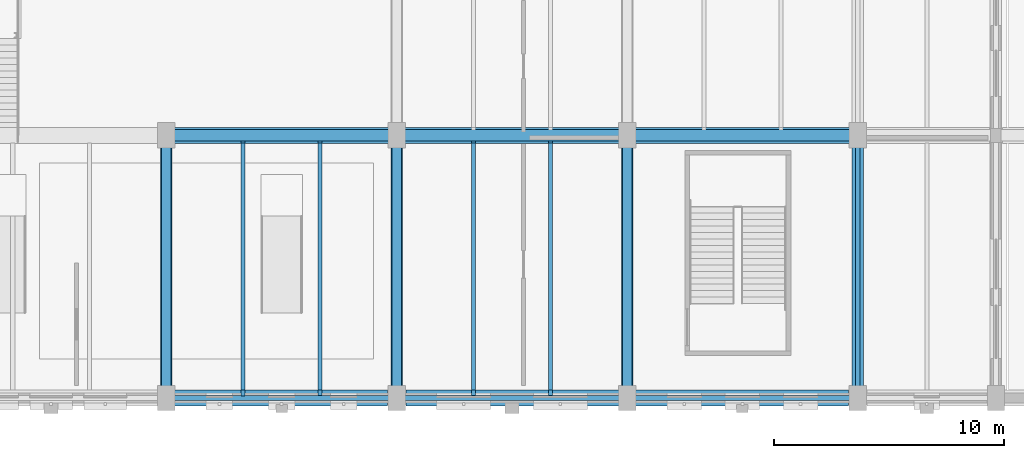
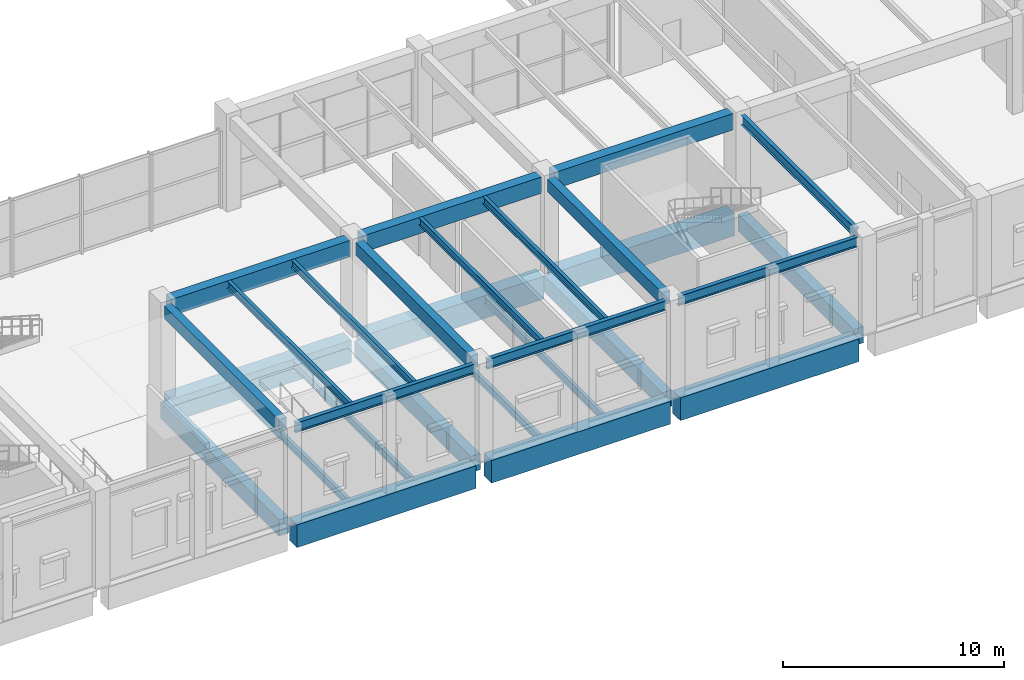
# One storey, part 37 of 113: 28 beams.
"""IFC4 building model written with IfcOpenShell, lengths in metres."""

from ifc_helpers import new_model, si_unit, direction, frame, origin, origin_2d, place, context, subcontext, project, spatial, rectangle, i_section, extrude, material, material_profile, profile_set, type_object, element, save


model = new_model("IFC4")

# Units and contexts
model_context = context("Model", 3, precision=1e-05, world=origin(), true_north=direction((0.0, 1.0)))
body_context = subcontext(model_context, "Body", "Model", "MODEL_VIEW")
ifc_project = project(units=[si_unit("LENGTHUNIT", "METRE"), si_unit("AREAUNIT", "SQUARE_METRE"), si_unit("VOLUMEUNIT", "CUBIC_METRE"), si_unit("PLANEANGLEUNIT", "RADIAN"), si_unit("MASSUNIT", "GRAM", prefix="KILO"), si_unit("POWERUNIT", "WATT"), si_unit("THERMODYNAMICTEMPERATUREUNIT", "KELVIN")], contexts=[model_context])

# Site, building, storey
site_placement = place(None, origin())
site = spatial("IfcSite", under=ifc_project, at=site_placement, CompositionType="ELEMENT")
building_placement = place(site_placement, origin())
building = spatial("IfcBuilding", under=site, at=building_placement, Name="Kelmbourne Parkland Aquatics Centre", CompositionType="ELEMENT")
storey_placement = place(building_placement, origin())
storey = spatial("IfcBuildingStorey", under=building, at=storey_placement, Name="L00", CompositionType="ELEMENT", Elevation=0.0)

# Beams
ifc_material_1 = material(Name="Concrete C40/50", Category="concrete")
ifc_material_profile_1 = material_profile(ifc_material_1, rectangle(XDim=0.5, YDim=0.89990234375, at=origin_2d()), Name="RC 500x900")
ifc_profile_set_1 = profile_set([ifc_material_profile_1], Name="Concrete C40/50")
beam_type_1 = type_object("IfcBeamType", Name="BM-G03", PredefinedType="BEAM", material=ifc_profile_set_1)
beam_1_placement = place(storey_placement, frame((66.0, 1.205078125, -0.72998046875), z_axis=(0.0, 1.0, 0.0), x_axis=(-1.0, 0.0, 0.0)))
element("IfcBeam", 1, at=beam_1_placement, inside=storey, type_object=beam_type_1, Name="Primary girder 01-03 Grid I (L00)", PredefinedType="BEAM", context=body_context, shape_type="SweptSolid", body=[
    extrude(rectangle(XDim=0.5, YDim=0.89990234375, at=origin_2d()), origin(), (0.0, 0.0, 1.0), 10.71484375),
])
beam_2_placement = place(storey_placement, frame((76.0, 1.205078125, -0.72998046875), z_axis=(0.0, 1.0, 0.0), x_axis=(-1.0, 0.0, 0.0)))
element("IfcBeam", 2, at=beam_2_placement, inside=storey, type_object=beam_type_1, Name="Primary girder 01-03 Grid J (L00)", PredefinedType="BEAM", context=body_context, shape_type="SweptSolid", body=[
    extrude(rectangle(XDim=0.5, YDim=0.89990234375, at=origin_2d()), origin(), (0.0, 0.0, 1.0), 10.489990234375),
])
beam_3_placement = place(storey_placement, frame((86.0, 1.205078125, -0.72998046875), z_axis=(0.0, 1.0, 0.0), x_axis=(-1.0, 0.0, 0.0)))
element("IfcBeam", 3, at=beam_3_placement, inside=storey, type_object=beam_type_1, Name="Primary girder 01-03 Grid K (L00)", PredefinedType="BEAM", context=body_context, shape_type="SweptSolid", body=[
    extrude(rectangle(XDim=0.5, YDim=0.89990234375, at=origin_2d()), origin(), (0.0, 0.0, 1.0), 10.71484375),
])
beam_4_placement = place(storey_placement, frame((96.0, 1.205078125, -0.72998046875), z_axis=(0.0, 1.0, 0.0), x_axis=(-1.0, 0.0, 0.0)))
element("IfcBeam", 4, at=beam_4_placement, inside=storey, type_object=beam_type_1, Name="Primary girder 01-03 Grid L (L00)", PredefinedType="BEAM", context=body_context, shape_type="SweptSolid", body=[
    extrude(rectangle(XDim=0.5, YDim=0.89990234375, at=origin_2d()), origin(), (0.0, 0.0, 1.0), 10.489990234375),
])
for number, where, z_axis, x_axis, name in (
    (5, (66.330078125, 12.199951171875, 4.7099609375), (1.0, 0.0, 0.0), (0.0, 1.0, 0.0), "Primary girder I-J Grid 03 (L01)"),
    (6, (76.330078125, 12.199951171875, 4.7099609375), (1.0, 0.0, 0.0), (0.0, 1.0, 0.0), "Primary girder J-K Grid 03 (L01)"),
    (7, (86.330078125, 12.199951171875, 4.7099609375), (1.0, 0.0, 0.0), (0.0, 1.0, 0.0), "Primary girder K-L Grid 03 (L01)"),
):
    element("IfcBeam", number, at=place(storey_placement, frame(where, z_axis=z_axis, x_axis=x_axis)), inside=storey, type_object=beam_type_1, Name=name, PredefinedType="BEAM", context=body_context, shape_type="SweptSolid", body=[
        extrude(rectangle(XDim=0.5, YDim=0.89990234375, at=origin_2d()), origin(), (0.0, 0.0, 1.0), 9.33984375),
    ])
ifc_material_profile_2 = material_profile(ifc_material_1, rectangle(XDim=0.39990234375, YDim=0.699951171875, at=origin_2d()), Name="RC 400x700")
ifc_profile_set_2 = profile_set([ifc_material_profile_2], Name="Concrete C40/50")
beam_type_2 = type_object("IfcBeamType", Name="BM-G05", PredefinedType="BEAM", material=ifc_profile_set_2)
for number, where, z_axis, x_axis, name in (
    (8, (66.0, 1.304931640625, 4.81005859375), (0.0, 1.0, 0.0), (-1.0, 0.0, 0.0), "Primary girder 01-03 Grid I (L01)"),
    (9, (76.0, 1.304931640625, 4.81005859375), (0.0, 1.0, 0.0), (-1.0, 0.0, 0.0), "Primary girder 01-03 Grid J (L01)"),
    (10, (86.0, 1.304931640625, 4.81005859375), (0.0, 1.0, 0.0), (-1.0, 0.0, 0.0), "Primary girder 01-03 Grid K (L01)"),
):
    element("IfcBeam", number, at=place(storey_placement, frame(where, z_axis=z_axis, x_axis=x_axis)), inside=storey, type_object=beam_type_2, Name=name, PredefinedType="BEAM", context=body_context, shape_type="SweptSolid", body=[
        extrude(rectangle(XDim=0.39990234375, YDim=0.699951171875, at=origin_2d()), origin(), (0.0, 0.0, 1.0), 10.39013671875),
    ])
ifc_material_2 = material(Name="Concrete C50/60", Category="concrete")
ifc_material_profile_3 = material_profile(ifc_material_2, rectangle(XDim=0.699951171875, YDim=1.25, at=origin_2d()), Name="RC 700x1250")
ifc_profile_set_3 = profile_set([ifc_material_profile_3], Name="Concrete C50/60")
beam_type_3 = type_object("IfcBeamType", Name="BM-G08", PredefinedType="BEAM", material=ifc_profile_set_3)
for number, where, z_axis, x_axis, name in (
    (11, (66.2548828125, 0.800048828125, -0.905029296875), (1.0, 0.0, 0.0), (0.0, 1.0, 0.0), "Primary girder I-J Grid 01 (L00)"),
    (12, (76.405029296875, 0.800048828125, -0.905029296875), (1.0, 0.0, 0.0), (0.0, 1.0, 0.0), "Primary girder J-K Grid 01 (L00)"),
    (13, (86.2548828125, 0.800048828125, -0.905029296875), (1.0, 0.0, 0.0), (0.0, 1.0, 0.0), "Primary girder K-L Grid 01 (L00)"),
):
    element("IfcBeam", number, at=place(storey_placement, frame(where, z_axis=z_axis, x_axis=x_axis)), inside=storey, type_object=beam_type_3, Name=name, PredefinedType="BEAM", context=body_context, shape_type="SweptSolid", body=[
        extrude(rectangle(XDim=0.699951171875, YDim=1.25, at=origin_2d()), origin(), (0.0, 0.0, 1.0), 9.340087890625),
    ])
for number, where, z_axis, x_axis, name in (
    (14, (66.280029296875, 12.199951171875, -0.905029296875), (1.0, 0.0, 0.0), (0.0, 1.0, 0.0), "Primary girder I-J Grid 03 (L00)"),
    (15, (76.330078125, 12.199951171875, -0.905029296875), (1.0, 0.0, 0.0), (0.0, 1.0, 0.0), "Primary girder J-K Grid 03 (L00)"),
    (16, (86.280029296875, 12.199951171875, -0.905029296875), (1.0, 0.0, 0.0), (0.0, 1.0, 0.0), "Primary girder K-L Grid 03 (L00)"),
):
    element("IfcBeam", number, at=place(storey_placement, frame(where, z_axis=z_axis, x_axis=x_axis)), inside=storey, type_object=beam_type_3, Name=name, PredefinedType="BEAM", context=body_context, shape_type="SweptSolid", body=[
        extrude(rectangle(XDim=0.699951171875, YDim=1.25, at=origin_2d()), origin(), (0.0, 0.0, 1.0), 9.389892578125),
    ])
ifc_material_3 = material(Name="Structural steel AS/NZS 3679.1 Grade 300", Category="steel")
ifc_material_profile_4 = material_profile(ifc_material_3, i_section(OverallWidth=0.177978515625, OverallDepth=0.406005859375, WebThickness=0.0078125, FlangeThickness=0.0126953125, at=origin_2d()), Name="410UB59.7")
ifc_profile_set_4 = profile_set([ifc_material_profile_4], Name="Structural steel AS/NZS 3679.1 Grade 300")
beam_type_4 = type_object("IfcBeamType", Name="BM-J01", PredefinedType="JOIST", material=ifc_profile_set_4)
for number, where, z_axis, x_axis, name in (
    (17, (69.333251953125, 1.14208984375, -0.48291015625), (0.0, 1.0, 0.0), (-1.0, 0.0, 0.0), "Secondary floor joist I-J/01-03 #1 (L00)"),
    (18, (72.666748046875, 1.14208984375, -0.48291015625), (0.0, 1.0, 0.0), (-1.0, 0.0, 0.0), "Secondary floor joist I-J/01-03 #2 (L00)"),
    (19, (79.333251953125, 1.14208984375, -0.48291015625), (0.0, 1.0, 0.0), (-1.0, 0.0, 0.0), "Secondary floor joist J-K/01-03 #1 (L00)"),
    (20, (82.666748046875, 1.14208984375, -0.48291015625), (0.0, 1.0, 0.0), (-1.0, 0.0, 0.0), "Secondary floor joist J-K/01-03 #2 (L00)"),
):
    element("IfcBeam", number, at=place(storey_placement, frame(where, z_axis=z_axis, x_axis=x_axis)), inside=storey, type_object=beam_type_4, Name=name, PredefinedType="JOIST", context=body_context, shape_type="SweptSolid", body=[
        extrude(i_section(OverallWidth=0.177978515625, OverallDepth=0.406005859375, WebThickness=0.0078125, FlangeThickness=0.0126953125, at=origin_2d()), origin(), (0.0, 0.0, 1.0), 10.7158203125),
    ])
for number, where, z_axis, x_axis, name in (
    (21, (69.333251953125, 0.896484375, 4.95703125), (0.0, 1.0, 0.0), (-1.0, 0.0, 0.0), "Secondary floor joist I-J/01-03 #1 (L01)"),
    (22, (72.666748046875, 0.896484375, 4.95703125), (0.0, 1.0, 0.0), (-1.0, 0.0, 0.0), "Secondary floor joist I-J/01-03 #2 (L01)"),
    (23, (79.333251953125, 0.896484375, 4.95703125), (0.0, 1.0, 0.0), (-1.0, 0.0, 0.0), "Secondary floor joist J-K/01-03 #1 (L01)"),
    (24, (82.666748046875, 0.896484375, 4.95703125), (0.0, 1.0, 0.0), (-1.0, 0.0, 0.0), "Secondary floor joist J-K/01-03 #2 (L01)"),
):
    element("IfcBeam", number, at=place(storey_placement, frame(where, z_axis=z_axis, x_axis=x_axis)), inside=storey, type_object=beam_type_4, Name=name, PredefinedType="JOIST", context=body_context, shape_type="SweptSolid", body=[
        extrude(i_section(OverallWidth=0.177978515625, OverallDepth=0.406005859375, WebThickness=0.0078125, FlangeThickness=0.0126953125, at=origin_2d()), origin(), (0.0, 0.0, 1.0), 11.0615234375),
    ])
ifc_material_profile_5 = material_profile(ifc_material_3, i_section(OverallWidth=0.208984375, OverallDepth=0.532958984375, WebThickness=0.01025390625, FlangeThickness=0.015625, at=origin_2d()), Name="530UB92.4")
ifc_profile_set_5 = profile_set([ifc_material_profile_5], Name="Structural steel AS/NZS 3679.1 Grade 300")
beam_type_5 = type_object("IfcBeamType", Name="BM-SP02", PredefinedType="SPANDREL", material=ifc_profile_set_5)
for number, where, z_axis, x_axis, name in (
    (25, (66.330078125, 0.800048828125, 4.8935546875), (1.0, 0.0, 0.0), (0.0, 1.0, 0.0), "Perimeter spandrel I-J Grid 01 (L01)"),
    (26, (76.330078125, 0.800048828125, 4.8935546875), (1.0, 0.0, 0.0), (0.0, 1.0, 0.0), "Perimeter spandrel J-K Grid 01 (L01)"),
    (27, (86.330078125, 0.800048828125, 4.8935546875), (1.0, 0.0, 0.0), (0.0, 1.0, 0.0), "Perimeter spandrel K-L Grid 01 (L01)"),
):
    element("IfcBeam", number, at=place(storey_placement, frame(where, z_axis=z_axis, x_axis=x_axis)), inside=storey, type_object=beam_type_5, Name=name, PredefinedType="SPANDREL", context=body_context, shape_type="SweptSolid", body=[
        extrude(i_section(OverallWidth=0.208984375, OverallDepth=0.532958984375, WebThickness=0.01025390625, FlangeThickness=0.015625, at=origin_2d()), origin(), (0.0, 0.0, 1.0), 9.33984375),
    ])
beam_5_placement = place(storey_placement, frame((96.0, 1.304931640625, 4.8935546875), z_axis=(0.0, 1.0, 0.0), x_axis=(-1.0, 0.0, 0.0)))
element("IfcBeam", 28, at=beam_5_placement, inside=storey, type_object=beam_type_5, Name="Perimeter spandrel 01-03 Grid L (L01)", PredefinedType="SPANDREL", context=body_context, shape_type="SweptSolid", body=[
    extrude(i_section(OverallWidth=0.208984375, OverallDepth=0.532958984375, WebThickness=0.01025390625, FlangeThickness=0.015625, at=origin_2d()), origin(), (0.0, 0.0, 1.0), 10.39013671875),
])

save(model, "model.ifc")
